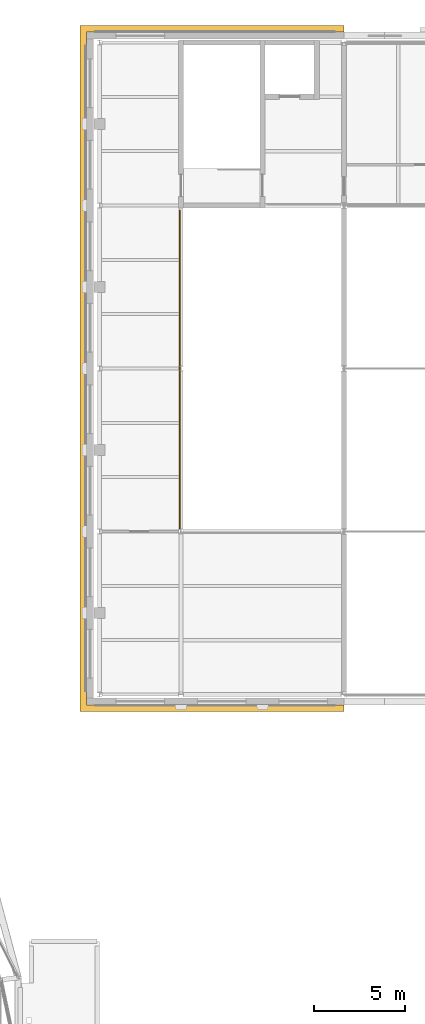
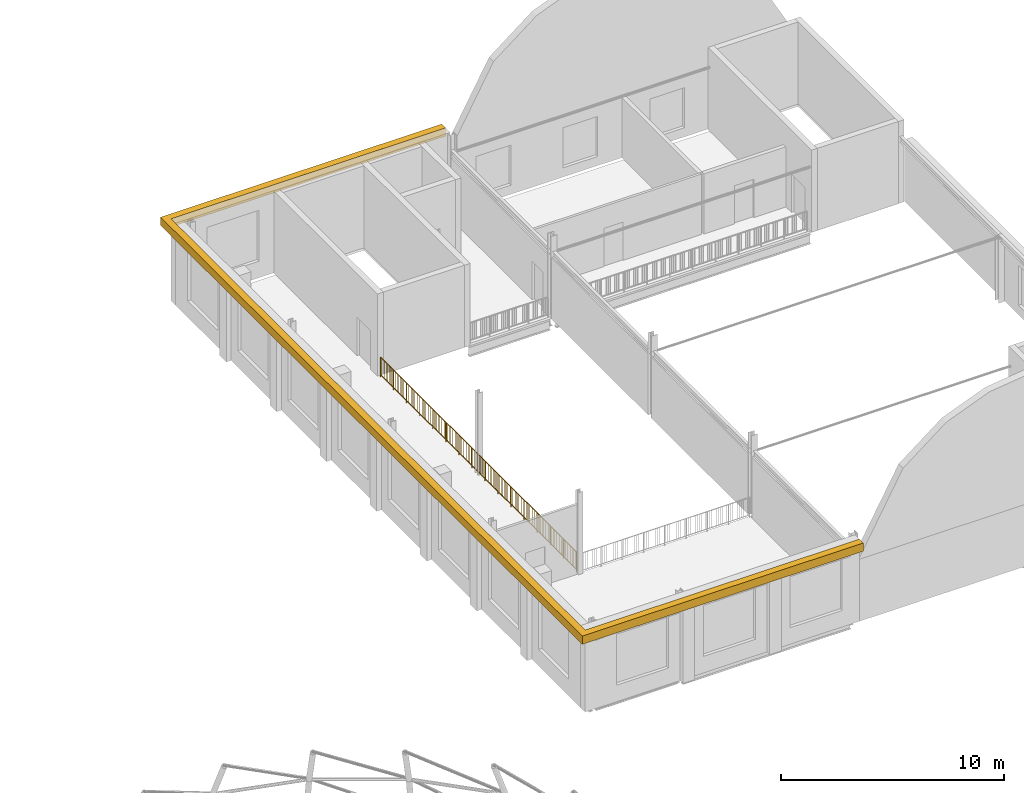
# One storey, part 53 of 59: 1 covering, 1 railing.
"""IFC4 building model written with IfcOpenShell, lengths in metres."""

from ifc_helpers import new_model, si_unit, direction, frame, origin, origin_2d, place, context, subcontext, project, spatial, polyline, circle, outline, extrude, material, type_object, element, save


model = new_model("IFC4")

# Units and contexts
model_context = context("Model", 3, precision=1e-05, world=origin(), true_north=direction((0.0, 1.0)))
body_context = subcontext(model_context, "Body", "Model", "MODEL_VIEW")
ifc_project = project(units=[si_unit("LENGTHUNIT", "METRE"), si_unit("AREAUNIT", "SQUARE_METRE"), si_unit("VOLUMEUNIT", "CUBIC_METRE"), si_unit("PLANEANGLEUNIT", "RADIAN"), si_unit("MASSUNIT", "GRAM", prefix="KILO")], contexts=[model_context])

# Site, building, storey
site_placement = place(None, origin())
site = spatial("IfcSite", under=ifc_project, at=site_placement, CompositionType="ELEMENT")
building_placement = place(site_placement, origin())
building = spatial("IfcBuilding", under=site, at=building_placement, Name="Hortulan Conservatory and Botanical Research Centre", CompositionType="ELEMENT")
storey_placement = place(building_placement, frame((0.0, 0.0, 10.5)))
storey = spatial("IfcBuildingStorey", under=building, at=storey_placement, Name="L02", CompositionType="ELEMENT", Elevation=10.5)

# Railing
ifc_material_1 = material(Name="Wrought iron guard, bronze-charcoal paint", Category="metal")
railing_type = type_object("IfcRailingType", Name="Ironwork Void Guard 1100", PredefinedType="GUARDRAIL", material=ifc_material_1)
railing_placement = place(storey_placement, frame((80.93994140625, 45.153564453125, 0.0)))
element("IfcRailing", 1, at=railing_placement, inside=storey, type_object=railing_type, Name="Guard L02 Aud Foyer L02 12", PredefinedType="GUARDRAIL", context=body_context, shape_type="SweptSolid", body=[
    extrude(circle(Radius=0.02392578125, at=origin_2d()), frame((0.0, 0.0, 1.076171875), z_axis=(0.0, 1.0, 0.0), x_axis=(-1.0, 0.0, 0.0)), (0.0, 0.0, 1.0), 17.576416015625),
    extrude(circle(Radius=0.02392578125, at=origin_2d()), frame((0.0, 0.0, 0.1240234375), z_axis=(0.0, 1.0, 0.0), x_axis=(-1.0, 0.0, 0.0)), (0.0, 0.0, 1.0), 17.576416015625),
    extrude(circle(Radius=0.008056640625, at=origin_2d()), frame((0.0, 0.10986328125, 0.148193359375)), (0.0, 0.0, 1.0), 0.90380859375),
    extrude(circle(Radius=0.008056640625, at=origin_2d()), frame((0.0, 0.2197265625, 0.148193359375)), (0.0, 0.0, 1.0), 0.90380859375),
    extrude(circle(Radius=0.008056640625, at=origin_2d()), frame((0.0, 0.32958984375, 0.148193359375)), (0.0, 0.0, 1.0), 0.90380859375),
    extrude(circle(Radius=0.008056640625, at=origin_2d()), frame((0.0, 0.439453125, 0.148193359375)), (0.0, 0.0, 1.0), 0.90380859375),
    extrude(circle(Radius=0.008056640625, at=origin_2d()), frame((0.0, 0.54931640625, 0.148193359375)), (0.0, 0.0, 1.0), 0.90380859375),
    extrude(circle(Radius=0.008056640625, at=origin_2d()), frame((0.0, 0.6591796875, 0.148193359375)), (0.0, 0.0, 1.0), 0.90380859375),
    extrude(circle(Radius=0.008056640625, at=origin_2d()), frame((0.0, 0.76904296875, 0.148193359375)), (0.0, 0.0, 1.0), 0.90380859375),
    extrude(circle(Radius=0.008056640625, at=origin_2d()), frame((0.0, 0.87890625, 0.148193359375)), (0.0, 0.0, 1.0), 0.90380859375),
    extrude(circle(Radius=0.008056640625, at=origin_2d()), frame((0.0, 0.98876953125, 0.148193359375)), (0.0, 0.0, 1.0), 0.90380859375),
    extrude(circle(Radius=0.008056640625, at=origin_2d()), frame((0.0, 1.0986328125, 0.148193359375)), (0.0, 0.0, 1.0), 0.90380859375),
    extrude(circle(Radius=0.008056640625, at=origin_2d()), frame((0.0, 1.20849609375, 0.148193359375)), (0.0, 0.0, 1.0), 0.90380859375),
    extrude(circle(Radius=0.008056640625, at=origin_2d()), frame((0.0, 1.318115234375, 0.148193359375)), (0.0, 0.0, 1.0), 0.90380859375),
    extrude(circle(Radius=0.008056640625, at=origin_2d()), frame((0.0, 1.427978515625, 0.148193359375)), (0.0, 0.0, 1.0), 0.90380859375),
    extrude(circle(Radius=0.008056640625, at=origin_2d()), frame((0.0, 1.537841796875, 0.148193359375)), (0.0, 0.0, 1.0), 0.90380859375),
    extrude(circle(Radius=0.008056640625, at=origin_2d()), frame((0.0, 1.647705078125, 0.148193359375)), (0.0, 0.0, 1.0), 0.90380859375),
    extrude(circle(Radius=0.008056640625, at=origin_2d()), frame((0.0, 1.757568359375, 0.148193359375)), (0.0, 0.0, 1.0), 0.90380859375),
    extrude(circle(Radius=0.008056640625, at=origin_2d()), frame((0.0, 1.867431640625, 0.148193359375)), (0.0, 0.0, 1.0), 0.90380859375),
    extrude(circle(Radius=0.008056640625, at=origin_2d()), frame((0.0, 1.977294921875, 0.148193359375)), (0.0, 0.0, 1.0), 0.90380859375),
    extrude(circle(Radius=0.008056640625, at=origin_2d()), frame((0.0, 2.087158203125, 0.148193359375)), (0.0, 0.0, 1.0), 0.90380859375),
    extrude(circle(Radius=0.008056640625, at=origin_2d()), frame((0.0, 2.197021484375, 0.148193359375)), (0.0, 0.0, 1.0), 0.90380859375),
    extrude(circle(Radius=0.008056640625, at=origin_2d()), frame((0.0, 2.306884765625, 0.148193359375)), (0.0, 0.0, 1.0), 0.90380859375),
    extrude(circle(Radius=0.008056640625, at=origin_2d()), frame((0.0, 2.416748046875, 0.148193359375)), (0.0, 0.0, 1.0), 0.90380859375),
    extrude(circle(Radius=0.008056640625, at=origin_2d()), frame((0.0, 2.526611328125, 0.148193359375)), (0.0, 0.0, 1.0), 0.90380859375),
    extrude(circle(Radius=0.008056640625, at=origin_2d()), frame((0.0, 2.636474609375, 0.148193359375)), (0.0, 0.0, 1.0), 0.90380859375),
    extrude(circle(Radius=0.008056640625, at=origin_2d()), frame((0.0, 2.746337890625, 0.148193359375)), (0.0, 0.0, 1.0), 0.90380859375),
    extrude(circle(Radius=0.008056640625, at=origin_2d()), frame((0.0, 2.856201171875, 0.148193359375)), (0.0, 0.0, 1.0), 0.90380859375),
    extrude(circle(Radius=0.008056640625, at=origin_2d()), frame((0.0, 2.966064453125, 0.148193359375)), (0.0, 0.0, 1.0), 0.90380859375),
    extrude(circle(Radius=0.008056640625, at=origin_2d()), frame((0.0, 3.075927734375, 0.148193359375)), (0.0, 0.0, 1.0), 0.90380859375),
    extrude(circle(Radius=0.008056640625, at=origin_2d()), frame((0.0, 3.185791015625, 0.148193359375)), (0.0, 0.0, 1.0), 0.90380859375),
    extrude(circle(Radius=0.008056640625, at=origin_2d()), frame((0.0, 3.295654296875, 0.148193359375)), (0.0, 0.0, 1.0), 0.90380859375),
    extrude(circle(Radius=0.008056640625, at=origin_2d()), frame((0.0, 3.405517578125, 0.148193359375)), (0.0, 0.0, 1.0), 0.90380859375),
    extrude(circle(Radius=0.008056640625, at=origin_2d()), frame((0.0, 3.515380859375, 0.148193359375)), (0.0, 0.0, 1.0), 0.90380859375),
    extrude(circle(Radius=0.008056640625, at=origin_2d()), frame((0.0, 3.625244140625, 0.148193359375)), (0.0, 0.0, 1.0), 0.90380859375),
    extrude(circle(Radius=0.008056640625, at=origin_2d()), frame((0.0, 3.735107421875, 0.148193359375)), (0.0, 0.0, 1.0), 0.90380859375),
    extrude(circle(Radius=0.008056640625, at=origin_2d()), frame((0.0, 3.8447265625, 0.148193359375)), (0.0, 0.0, 1.0), 0.90380859375),
    extrude(circle(Radius=0.008056640625, at=origin_2d()), frame((0.0, 3.95458984375, 0.148193359375)), (0.0, 0.0, 1.0), 0.90380859375),
    extrude(circle(Radius=0.008056640625, at=origin_2d()), frame((0.0, 4.064453125, 0.148193359375)), (0.0, 0.0, 1.0), 0.90380859375),
    extrude(circle(Radius=0.008056640625, at=origin_2d()), frame((0.0, 4.17431640625, 0.148193359375)), (0.0, 0.0, 1.0), 0.90380859375),
    extrude(circle(Radius=0.008056640625, at=origin_2d()), frame((0.0, 4.2841796875, 0.148193359375)), (0.0, 0.0, 1.0), 0.90380859375),
    extrude(circle(Radius=0.008056640625, at=origin_2d()), frame((0.0, 4.39404296875, 0.148193359375)), (0.0, 0.0, 1.0), 0.90380859375),
    extrude(circle(Radius=0.008056640625, at=origin_2d()), frame((0.0, 4.50390625, 0.148193359375)), (0.0, 0.0, 1.0), 0.90380859375),
    extrude(circle(Radius=0.008056640625, at=origin_2d()), frame((0.0, 4.61376953125, 0.148193359375)), (0.0, 0.0, 1.0), 0.90380859375),
    extrude(circle(Radius=0.008056640625, at=origin_2d()), frame((0.0, 4.7236328125, 0.148193359375)), (0.0, 0.0, 1.0), 0.90380859375),
    extrude(circle(Radius=0.008056640625, at=origin_2d()), frame((0.0, 4.83349609375, 0.148193359375)), (0.0, 0.0, 1.0), 0.90380859375),
    extrude(circle(Radius=0.008056640625, at=origin_2d()), frame((0.0, 4.943359375, 0.148193359375)), (0.0, 0.0, 1.0), 0.90380859375),
    extrude(circle(Radius=0.008056640625, at=origin_2d()), frame((0.0, 5.05322265625, 0.148193359375)), (0.0, 0.0, 1.0), 0.90380859375),
    extrude(circle(Radius=0.008056640625, at=origin_2d()), frame((0.0, 5.1630859375, 0.148193359375)), (0.0, 0.0, 1.0), 0.90380859375),
    extrude(circle(Radius=0.008056640625, at=origin_2d()), frame((0.0, 5.27294921875, 0.148193359375)), (0.0, 0.0, 1.0), 0.90380859375),
    extrude(circle(Radius=0.008056640625, at=origin_2d()), frame((0.0, 5.3828125, 0.148193359375)), (0.0, 0.0, 1.0), 0.90380859375),
    extrude(circle(Radius=0.008056640625, at=origin_2d()), frame((0.0, 5.49267578125, 0.148193359375)), (0.0, 0.0, 1.0), 0.90380859375),
    extrude(circle(Radius=0.008056640625, at=origin_2d()), frame((0.0, 5.6025390625, 0.148193359375)), (0.0, 0.0, 1.0), 0.90380859375),
    extrude(circle(Radius=0.008056640625, at=origin_2d()), frame((0.0, 5.71240234375, 0.148193359375)), (0.0, 0.0, 1.0), 0.90380859375),
    extrude(circle(Radius=0.008056640625, at=origin_2d()), frame((0.0, 5.822265625, 0.148193359375)), (0.0, 0.0, 1.0), 0.90380859375),
    extrude(circle(Radius=0.008056640625, at=origin_2d()), frame((0.0, 5.93212890625, 0.148193359375)), (0.0, 0.0, 1.0), 0.90380859375),
    extrude(circle(Radius=0.008056640625, at=origin_2d()), frame((0.0, 6.0419921875, 0.148193359375)), (0.0, 0.0, 1.0), 0.90380859375),
    extrude(circle(Radius=0.008056640625, at=origin_2d()), frame((0.0, 6.15185546875, 0.148193359375)), (0.0, 0.0, 1.0), 0.90380859375),
    extrude(circle(Radius=0.008056640625, at=origin_2d()), frame((0.0, 6.26171875, 0.148193359375)), (0.0, 0.0, 1.0), 0.90380859375),
    extrude(circle(Radius=0.008056640625, at=origin_2d()), frame((0.0, 6.371337890625, 0.148193359375)), (0.0, 0.0, 1.0), 0.90380859375),
    extrude(circle(Radius=0.008056640625, at=origin_2d()), frame((0.0, 6.481201171875, 0.148193359375)), (0.0, 0.0, 1.0), 0.90380859375),
    extrude(circle(Radius=0.008056640625, at=origin_2d()), frame((0.0, 6.591064453125, 0.148193359375)), (0.0, 0.0, 1.0), 0.90380859375),
    extrude(circle(Radius=0.008056640625, at=origin_2d()), frame((0.0, 6.700927734375, 0.148193359375)), (0.0, 0.0, 1.0), 0.90380859375),
    extrude(circle(Radius=0.008056640625, at=origin_2d()), frame((0.0, 6.810791015625, 0.148193359375)), (0.0, 0.0, 1.0), 0.90380859375),
    extrude(circle(Radius=0.008056640625, at=origin_2d()), frame((0.0, 6.920654296875, 0.148193359375)), (0.0, 0.0, 1.0), 0.90380859375),
    extrude(circle(Radius=0.008056640625, at=origin_2d()), frame((0.0, 7.030517578125, 0.148193359375)), (0.0, 0.0, 1.0), 0.90380859375),
    extrude(circle(Radius=0.008056640625, at=origin_2d()), frame((0.0, 7.140380859375, 0.148193359375)), (0.0, 0.0, 1.0), 0.90380859375),
    extrude(circle(Radius=0.008056640625, at=origin_2d()), frame((0.0, 7.250244140625, 0.148193359375)), (0.0, 0.0, 1.0), 0.90380859375),
    extrude(circle(Radius=0.008056640625, at=origin_2d()), frame((0.0, 7.360107421875, 0.148193359375)), (0.0, 0.0, 1.0), 0.90380859375),
    extrude(circle(Radius=0.008056640625, at=origin_2d()), frame((0.0, 7.469970703125, 0.148193359375)), (0.0, 0.0, 1.0), 0.90380859375),
    extrude(circle(Radius=0.008056640625, at=origin_2d()), frame((0.0, 7.579833984375, 0.148193359375)), (0.0, 0.0, 1.0), 0.90380859375),
    extrude(circle(Radius=0.008056640625, at=origin_2d()), frame((0.0, 7.689697265625, 0.148193359375)), (0.0, 0.0, 1.0), 0.90380859375),
    extrude(circle(Radius=0.008056640625, at=origin_2d()), frame((0.0, 7.799560546875, 0.148193359375)), (0.0, 0.0, 1.0), 0.90380859375),
    extrude(circle(Radius=0.008056640625, at=origin_2d()), frame((0.0, 7.909423828125, 0.148193359375)), (0.0, 0.0, 1.0), 0.90380859375),
    extrude(circle(Radius=0.008056640625, at=origin_2d()), frame((0.0, 8.019287109375, 0.148193359375)), (0.0, 0.0, 1.0), 0.90380859375),
    extrude(circle(Radius=0.008056640625, at=origin_2d()), frame((0.0, 8.129150390625, 0.148193359375)), (0.0, 0.0, 1.0), 0.90380859375),
    extrude(circle(Radius=0.008056640625, at=origin_2d()), frame((0.0, 8.239013671875, 0.148193359375)), (0.0, 0.0, 1.0), 0.90380859375),
    extrude(circle(Radius=0.008056640625, at=origin_2d()), frame((0.0, 8.348876953125, 0.148193359375)), (0.0, 0.0, 1.0), 0.90380859375),
    extrude(circle(Radius=0.008056640625, at=origin_2d()), frame((0.0, 8.458740234375, 0.148193359375)), (0.0, 0.0, 1.0), 0.90380859375),
    extrude(circle(Radius=0.008056640625, at=origin_2d()), frame((0.0, 8.568603515625, 0.148193359375)), (0.0, 0.0, 1.0), 0.90380859375),
    extrude(circle(Radius=0.008056640625, at=origin_2d()), frame((0.0, 8.678466796875, 0.148193359375)), (0.0, 0.0, 1.0), 0.90380859375),
    extrude(circle(Radius=0.008056640625, at=origin_2d()), frame((0.0, 8.7880859375, 0.148193359375)), (0.0, 0.0, 1.0), 0.90380859375),
    extrude(circle(Radius=0.008056640625, at=origin_2d()), frame((0.0, 8.89794921875, 0.148193359375)), (0.0, 0.0, 1.0), 0.90380859375),
    extrude(circle(Radius=0.008056640625, at=origin_2d()), frame((0.0, 9.0078125, 0.148193359375)), (0.0, 0.0, 1.0), 0.90380859375),
    extrude(circle(Radius=0.008056640625, at=origin_2d()), frame((0.0, 9.11767578125, 0.148193359375)), (0.0, 0.0, 1.0), 0.90380859375),
    extrude(circle(Radius=0.008056640625, at=origin_2d()), frame((0.0, 9.2275390625, 0.148193359375)), (0.0, 0.0, 1.0), 0.90380859375),
    extrude(circle(Radius=0.008056640625, at=origin_2d()), frame((0.0, 9.33740234375, 0.148193359375)), (0.0, 0.0, 1.0), 0.90380859375),
    extrude(circle(Radius=0.008056640625, at=origin_2d()), frame((0.0, 9.447265625, 0.148193359375)), (0.0, 0.0, 1.0), 0.90380859375),
    extrude(circle(Radius=0.008056640625, at=origin_2d()), frame((0.0, 9.55712890625, 0.148193359375)), (0.0, 0.0, 1.0), 0.90380859375),
    extrude(circle(Radius=0.008056640625, at=origin_2d()), frame((0.0, 9.6669921875, 0.148193359375)), (0.0, 0.0, 1.0), 0.90380859375),
    extrude(circle(Radius=0.008056640625, at=origin_2d()), frame((0.0, 9.77685546875, 0.148193359375)), (0.0, 0.0, 1.0), 0.90380859375),
    extrude(circle(Radius=0.008056640625, at=origin_2d()), frame((0.0, 9.88671875, 0.148193359375)), (0.0, 0.0, 1.0), 0.90380859375),
    extrude(circle(Radius=0.008056640625, at=origin_2d()), frame((0.0, 9.99658203125, 0.148193359375)), (0.0, 0.0, 1.0), 0.90380859375),
    extrude(circle(Radius=0.008056640625, at=origin_2d()), frame((0.0, 10.1064453125, 0.148193359375)), (0.0, 0.0, 1.0), 0.90380859375),
    extrude(circle(Radius=0.008056640625, at=origin_2d()), frame((0.0, 10.21630859375, 0.148193359375)), (0.0, 0.0, 1.0), 0.90380859375),
    extrude(circle(Radius=0.008056640625, at=origin_2d()), frame((0.0, 10.326171875, 0.148193359375)), (0.0, 0.0, 1.0), 0.90380859375),
    extrude(circle(Radius=0.008056640625, at=origin_2d()), frame((0.0, 10.43603515625, 0.148193359375)), (0.0, 0.0, 1.0), 0.90380859375),
    extrude(circle(Radius=0.008056640625, at=origin_2d()), frame((0.0, 10.5458984375, 0.148193359375)), (0.0, 0.0, 1.0), 0.90380859375),
    extrude(circle(Radius=0.008056640625, at=origin_2d()), frame((0.0, 10.65576171875, 0.148193359375)), (0.0, 0.0, 1.0), 0.90380859375),
    extrude(circle(Radius=0.008056640625, at=origin_2d()), frame((0.0, 10.765625, 0.148193359375)), (0.0, 0.0, 1.0), 0.90380859375),
    extrude(circle(Radius=0.008056640625, at=origin_2d()), frame((0.0, 10.87548828125, 0.148193359375)), (0.0, 0.0, 1.0), 0.90380859375),
    extrude(circle(Radius=0.008056640625, at=origin_2d()), frame((0.0, 10.9853515625, 0.148193359375)), (0.0, 0.0, 1.0), 0.90380859375),
    extrude(circle(Radius=0.008056640625, at=origin_2d()), frame((0.0, 11.09521484375, 0.148193359375)), (0.0, 0.0, 1.0), 0.90380859375),
    extrude(circle(Radius=0.008056640625, at=origin_2d()), frame((0.0, 11.205078125, 0.148193359375)), (0.0, 0.0, 1.0), 0.90380859375),
    extrude(circle(Radius=0.008056640625, at=origin_2d()), frame((0.0, 11.314697265625, 0.148193359375)), (0.0, 0.0, 1.0), 0.90380859375),
    extrude(circle(Radius=0.008056640625, at=origin_2d()), frame((0.0, 11.424560546875, 0.148193359375)), (0.0, 0.0, 1.0), 0.90380859375),
    extrude(circle(Radius=0.008056640625, at=origin_2d()), frame((0.0, 11.534423828125, 0.148193359375)), (0.0, 0.0, 1.0), 0.90380859375),
    extrude(circle(Radius=0.008056640625, at=origin_2d()), frame((0.0, 11.644287109375, 0.148193359375)), (0.0, 0.0, 1.0), 0.90380859375),
    extrude(circle(Radius=0.008056640625, at=origin_2d()), frame((0.0, 11.754150390625, 0.148193359375)), (0.0, 0.0, 1.0), 0.90380859375),
    extrude(circle(Radius=0.008056640625, at=origin_2d()), frame((0.0, 11.864013671875, 0.148193359375)), (0.0, 0.0, 1.0), 0.90380859375),
    extrude(circle(Radius=0.008056640625, at=origin_2d()), frame((0.0, 11.973876953125, 0.148193359375)), (0.0, 0.0, 1.0), 0.90380859375),
    extrude(circle(Radius=0.008056640625, at=origin_2d()), frame((0.0, 12.083740234375, 0.148193359375)), (0.0, 0.0, 1.0), 0.90380859375),
    extrude(circle(Radius=0.008056640625, at=origin_2d()), frame((0.0, 12.193603515625, 0.148193359375)), (0.0, 0.0, 1.0), 0.90380859375),
    extrude(circle(Radius=0.008056640625, at=origin_2d()), frame((0.0, 12.303466796875, 0.148193359375)), (0.0, 0.0, 1.0), 0.90380859375),
    extrude(circle(Radius=0.008056640625, at=origin_2d()), frame((0.0, 12.413330078125, 0.148193359375)), (0.0, 0.0, 1.0), 0.90380859375),
    extrude(circle(Radius=0.008056640625, at=origin_2d()), frame((0.0, 12.523193359375, 0.148193359375)), (0.0, 0.0, 1.0), 0.90380859375),
    extrude(circle(Radius=0.008056640625, at=origin_2d()), frame((0.0, 12.633056640625, 0.148193359375)), (0.0, 0.0, 1.0), 0.90380859375),
    extrude(circle(Radius=0.008056640625, at=origin_2d()), frame((0.0, 12.742919921875, 0.148193359375)), (0.0, 0.0, 1.0), 0.90380859375),
    extrude(circle(Radius=0.008056640625, at=origin_2d()), frame((0.0, 12.852783203125, 0.148193359375)), (0.0, 0.0, 1.0), 0.90380859375),
    extrude(circle(Radius=0.008056640625, at=origin_2d()), frame((0.0, 12.962646484375, 0.148193359375)), (0.0, 0.0, 1.0), 0.90380859375),
    extrude(circle(Radius=0.008056640625, at=origin_2d()), frame((0.0, 13.072509765625, 0.148193359375)), (0.0, 0.0, 1.0), 0.90380859375),
    extrude(circle(Radius=0.008056640625, at=origin_2d()), frame((0.0, 13.182373046875, 0.148193359375)), (0.0, 0.0, 1.0), 0.90380859375),
    extrude(circle(Radius=0.008056640625, at=origin_2d()), frame((0.0, 13.292236328125, 0.148193359375)), (0.0, 0.0, 1.0), 0.90380859375),
    extrude(circle(Radius=0.008056640625, at=origin_2d()), frame((0.0, 13.402099609375, 0.148193359375)), (0.0, 0.0, 1.0), 0.90380859375),
    extrude(circle(Radius=0.008056640625, at=origin_2d()), frame((0.0, 13.511962890625, 0.148193359375)), (0.0, 0.0, 1.0), 0.90380859375),
    extrude(circle(Radius=0.008056640625, at=origin_2d()), frame((0.0, 13.621826171875, 0.148193359375)), (0.0, 0.0, 1.0), 0.90380859375),
    extrude(circle(Radius=0.008056640625, at=origin_2d()), frame((0.0, 13.731689453125, 0.148193359375)), (0.0, 0.0, 1.0), 0.90380859375),
    extrude(circle(Radius=0.008056640625, at=origin_2d()), frame((0.0, 13.84130859375, 0.148193359375)), (0.0, 0.0, 1.0), 0.90380859375),
    extrude(circle(Radius=0.008056640625, at=origin_2d()), frame((0.0, 13.951171875, 0.148193359375)), (0.0, 0.0, 1.0), 0.90380859375),
    extrude(circle(Radius=0.008056640625, at=origin_2d()), frame((0.0, 14.06103515625, 0.148193359375)), (0.0, 0.0, 1.0), 0.90380859375),
    extrude(circle(Radius=0.008056640625, at=origin_2d()), frame((0.0, 14.1708984375, 0.148193359375)), (0.0, 0.0, 1.0), 0.90380859375),
    extrude(circle(Radius=0.008056640625, at=origin_2d()), frame((0.0, 14.28076171875, 0.148193359375)), (0.0, 0.0, 1.0), 0.90380859375),
    extrude(circle(Radius=0.008056640625, at=origin_2d()), frame((0.0, 14.390625, 0.148193359375)), (0.0, 0.0, 1.0), 0.90380859375),
    extrude(circle(Radius=0.008056640625, at=origin_2d()), frame((0.0, 14.50048828125, 0.148193359375)), (0.0, 0.0, 1.0), 0.90380859375),
    extrude(circle(Radius=0.008056640625, at=origin_2d()), frame((0.0, 14.6103515625, 0.148193359375)), (0.0, 0.0, 1.0), 0.90380859375),
    extrude(circle(Radius=0.008056640625, at=origin_2d()), frame((0.0, 14.72021484375, 0.148193359375)), (0.0, 0.0, 1.0), 0.90380859375),
    extrude(circle(Radius=0.008056640625, at=origin_2d()), frame((0.0, 14.830078125, 0.148193359375)), (0.0, 0.0, 1.0), 0.90380859375),
    extrude(circle(Radius=0.008056640625, at=origin_2d()), frame((0.0, 14.93994140625, 0.148193359375)), (0.0, 0.0, 1.0), 0.90380859375),
    extrude(circle(Radius=0.008056640625, at=origin_2d()), frame((0.0, 15.0498046875, 0.148193359375)), (0.0, 0.0, 1.0), 0.90380859375),
    extrude(circle(Radius=0.008056640625, at=origin_2d()), frame((0.0, 15.15966796875, 0.148193359375)), (0.0, 0.0, 1.0), 0.90380859375),
    extrude(circle(Radius=0.008056640625, at=origin_2d()), frame((0.0, 15.26953125, 0.148193359375)), (0.0, 0.0, 1.0), 0.90380859375),
    extrude(circle(Radius=0.008056640625, at=origin_2d()), frame((0.0, 15.37939453125, 0.148193359375)), (0.0, 0.0, 1.0), 0.90380859375),
    extrude(circle(Radius=0.008056640625, at=origin_2d()), frame((0.0, 15.4892578125, 0.148193359375)), (0.0, 0.0, 1.0), 0.90380859375),
    extrude(circle(Radius=0.008056640625, at=origin_2d()), frame((0.0, 15.59912109375, 0.148193359375)), (0.0, 0.0, 1.0), 0.90380859375),
    extrude(circle(Radius=0.008056640625, at=origin_2d()), frame((0.0, 15.708984375, 0.148193359375)), (0.0, 0.0, 1.0), 0.90380859375),
    extrude(circle(Radius=0.008056640625, at=origin_2d()), frame((0.0, 15.81884765625, 0.148193359375)), (0.0, 0.0, 1.0), 0.90380859375),
    extrude(circle(Radius=0.008056640625, at=origin_2d()), frame((0.0, 15.9287109375, 0.148193359375)), (0.0, 0.0, 1.0), 0.90380859375),
    extrude(circle(Radius=0.008056640625, at=origin_2d()), frame((0.0, 16.03857421875, 0.148193359375)), (0.0, 0.0, 1.0), 0.90380859375),
    extrude(circle(Radius=0.008056640625, at=origin_2d()), frame((0.0, 16.1484375, 0.148193359375)), (0.0, 0.0, 1.0), 0.90380859375),
    extrude(circle(Radius=0.008056640625, at=origin_2d()), frame((0.0, 16.25830078125, 0.148193359375)), (0.0, 0.0, 1.0), 0.90380859375),
    extrude(circle(Radius=0.008056640625, at=origin_2d()), frame((0.0, 16.367919921875, 0.148193359375)), (0.0, 0.0, 1.0), 0.90380859375),
    extrude(circle(Radius=0.008056640625, at=origin_2d()), frame((0.0, 16.477783203125, 0.148193359375)), (0.0, 0.0, 1.0), 0.90380859375),
    extrude(circle(Radius=0.008056640625, at=origin_2d()), frame((0.0, 16.587646484375, 0.148193359375)), (0.0, 0.0, 1.0), 0.90380859375),
    extrude(circle(Radius=0.008056640625, at=origin_2d()), frame((0.0, 16.697509765625, 0.148193359375)), (0.0, 0.0, 1.0), 0.90380859375),
    extrude(circle(Radius=0.008056640625, at=origin_2d()), frame((0.0, 16.807373046875, 0.148193359375)), (0.0, 0.0, 1.0), 0.90380859375),
    extrude(circle(Radius=0.008056640625, at=origin_2d()), frame((0.0, 16.917236328125, 0.148193359375)), (0.0, 0.0, 1.0), 0.90380859375),
    extrude(circle(Radius=0.008056640625, at=origin_2d()), frame((0.0, 17.027099609375, 0.148193359375)), (0.0, 0.0, 1.0), 0.90380859375),
    extrude(circle(Radius=0.008056640625, at=origin_2d()), frame((0.0, 17.136962890625, 0.148193359375)), (0.0, 0.0, 1.0), 0.90380859375),
    extrude(circle(Radius=0.008056640625, at=origin_2d()), frame((0.0, 17.246826171875, 0.148193359375)), (0.0, 0.0, 1.0), 0.90380859375),
    extrude(circle(Radius=0.008056640625, at=origin_2d()), frame((0.0, 17.356689453125, 0.148193359375)), (0.0, 0.0, 1.0), 0.90380859375),
    extrude(circle(Radius=0.008056640625, at=origin_2d()), frame((0.0, 17.466552734375, 0.148193359375)), (0.0, 0.0, 1.0), 0.90380859375),
    extrude(circle(Radius=0.02099609375, at=origin_2d()), origin(), (0.0, 0.0, 1.0), 1.052001953125),
    extrude(circle(Radius=0.02099609375, at=origin_2d()), frame((0.0, 1.171875, 0.0)), (0.0, 0.0, 1.0), 1.052001953125),
    extrude(circle(Radius=0.02099609375, at=origin_2d()), frame((0.0, 2.343505859375, 0.0)), (0.0, 0.0, 1.0), 1.052001953125),
    extrude(circle(Radius=0.02099609375, at=origin_2d()), frame((0.0, 3.515380859375, 0.0)), (0.0, 0.0, 1.0), 1.052001953125),
    extrude(circle(Radius=0.02099609375, at=origin_2d()), frame((0.0, 4.68701171875, 0.0)), (0.0, 0.0, 1.0), 1.052001953125),
    extrude(circle(Radius=0.02099609375, at=origin_2d()), frame((0.0, 5.85888671875, 0.0)), (0.0, 0.0, 1.0), 1.052001953125),
    extrude(circle(Radius=0.02099609375, at=origin_2d()), frame((0.0, 7.030517578125, 0.0)), (0.0, 0.0, 1.0), 1.052001953125),
    extrude(circle(Radius=0.02099609375, at=origin_2d()), frame((0.0, 8.202392578125, 0.0)), (0.0, 0.0, 1.0), 1.052001953125),
    extrude(circle(Radius=0.02099609375, at=origin_2d()), frame((0.0, 9.3740234375, 0.0)), (0.0, 0.0, 1.0), 1.052001953125),
    extrude(circle(Radius=0.02099609375, at=origin_2d()), frame((0.0, 10.5458984375, 0.0)), (0.0, 0.0, 1.0), 1.052001953125),
    extrude(circle(Radius=0.02099609375, at=origin_2d()), frame((0.0, 11.717529296875, 0.0)), (0.0, 0.0, 1.0), 1.052001953125),
    extrude(circle(Radius=0.02099609375, at=origin_2d()), frame((0.0, 12.889404296875, 0.0)), (0.0, 0.0, 1.0), 1.052001953125),
    extrude(circle(Radius=0.02099609375, at=origin_2d()), frame((0.0, 14.06103515625, 0.0)), (0.0, 0.0, 1.0), 1.052001953125),
    extrude(circle(Radius=0.02099609375, at=origin_2d()), frame((0.0, 15.23291015625, 0.0)), (0.0, 0.0, 1.0), 1.052001953125),
    extrude(circle(Radius=0.02099609375, at=origin_2d()), frame((0.0, 16.404541015625, 0.0)), (0.0, 0.0, 1.0), 1.052001953125),
    extrude(circle(Radius=0.02099609375, at=origin_2d()), frame((0.0, 17.576416015625, 0.0)), (0.0, 0.0, 1.0), 1.052001953125),
])

# Covering
ifc_material_2 = material(Name="Faience-faced brickwork masonry", Category="masonry")
covering_type = type_object("IfcCoveringType", Name="Sandstone Cornice 350", PredefinedType="CLADDING", material=ifc_material_2)
covering_placement = place(storey_placement, frame((0.0, 0.0, 4.050048828125)))
element("IfcCovering", 2, at=covering_placement, inside=storey, type_object=covering_type, Name="Cornice", PredefinedType="CLADDING", context=body_context, shape_type="SweptSolid", body=[
    extrude(outline(polyline([(90.0, 35.070556640625), (75.425048828125, 35.070556640625), (75.425048828125, 35.324951171875), (75.425048828125, 35.820556640625), (75.425048828125, 72.179443359375), (75.425048828125, 72.675048828125), (75.425048828125, 72.929443359375), (90.0, 72.929443359375), (90.0, 72.57958984375), (75.77490234375, 72.57958984375), (75.77490234375, 72.57958984375), (75.77490234375, 72.57958984375), (75.77490234375, 72.57958984375), (75.77490234375, 72.57958984375), (75.77490234375, 72.57958984375), (75.77490234375, 72.57958984375), (75.77490234375, 72.57958984375), (75.77490234375, 72.57958984375), (75.77490234375, 72.57958984375), (75.77490234375, 72.57958984375), (75.77490234375, 72.57958984375), (75.77490234375, 72.57958984375), (75.77490234375, 72.57958984375), (75.77490234375, 72.57958984375), (75.77490234375, 72.57958984375), (75.77490234375, 72.57958984375), (75.77490234375, 35.42041015625), (75.77490234375, 35.42041015625), (75.77490234375, 35.42041015625), (75.77490234375, 35.42041015625), (75.77490234375, 35.42041015625), (75.77490234375, 35.42041015625), (75.77490234375, 35.42041015625), (75.77490234375, 35.42041015625), (75.77490234375, 35.42041015625), (75.77490234375, 35.42041015625), (75.77490234375, 35.42041015625), (75.77490234375, 35.42041015625), (75.77490234375, 35.42041015625), (75.77490234375, 35.42041015625), (75.77490234375, 35.42041015625), (75.77490234375, 35.42041015625), (75.77490234375, 35.42041015625), (90.0, 35.42041015625), (90.0, 35.070556640625)])), origin(), (0.0, 0.0, 1.0), 0.449951171875),
])

save(model, "model.ifc")
